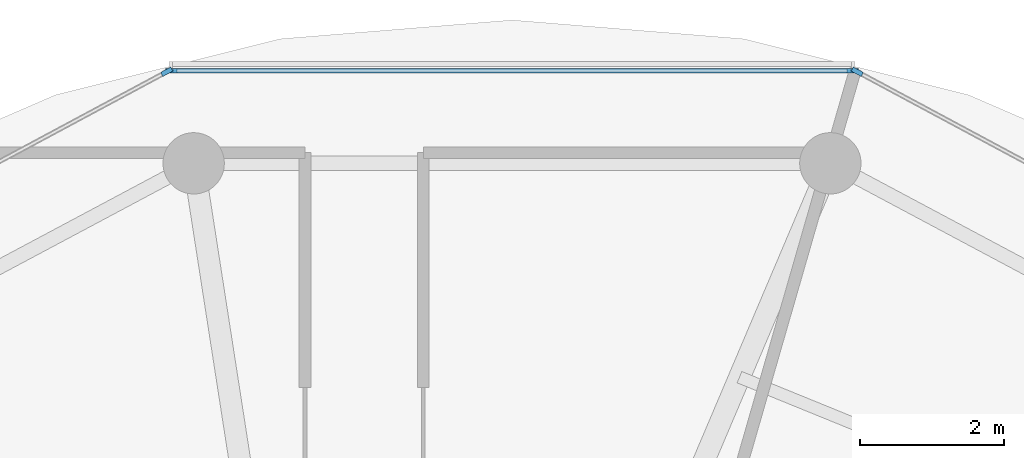
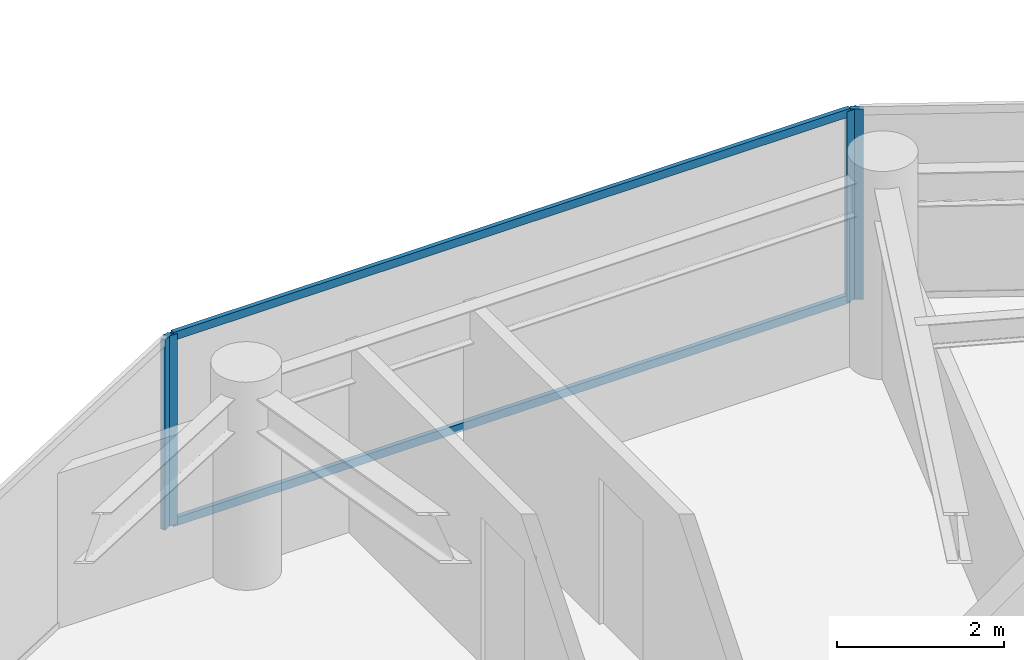
# One storey, part 9 of 23: 6 members, 3 elements without a shape of their own.
"""IFC4 building model written with IfcOpenShell, lengths in metres."""

from ifc_helpers import new_model, si_unit, direction, frame, origin, origin_2d, place, context, subcontext, project, spatial, rectangle, extrude, source, transform, mapped, material, layer, layer_set, material_profile, profile_set, type_object, type_shapes, element, aggregate, save


model = new_model("IFC4")

# Units and contexts
model_context = context("Model", 3, precision=1e-05, world=origin(), true_north=direction((0.0, 1.0)))
body_context = subcontext(model_context, "Body", "Model", "MODEL_VIEW")
ifc_project = project(units=[si_unit("LENGTHUNIT", "METRE"), si_unit("AREAUNIT", "SQUARE_METRE"), si_unit("VOLUMEUNIT", "CUBIC_METRE"), si_unit("PLANEANGLEUNIT", "RADIAN"), si_unit("MASSUNIT", "GRAM", prefix="KILO")], contexts=[model_context])

# Site, building, storey
site_placement = place(None, origin())
site = spatial("IfcSite", under=ifc_project, at=site_placement, CompositionType="ELEMENT")
building_placement = place(site_placement, origin())
building = spatial("IfcBuilding", under=site, at=building_placement, Name="Norrkilde Senior Care Towers", CompositionType="ELEMENT")
storey_placement = place(building_placement, frame((0.0, 0.0, 93.199951171875)))
storey = spatial("IfcBuildingStorey", under=building, at=storey_placement, Name="L28", CompositionType="ELEMENT", Elevation=93.199951171875)

# Curtain wall, member
ifc_material_1 = material(Name="Triple Low-E Insulated Glazing", Category="glass")
ifc_layer = layer(ifc_material_1, 0.195068359375)
ifc_layer_set = layer_set([ifc_layer], Name="Triple Low-E Insulated Glazing")
curtain_wall_type = type_object("IfcCurtainWallType", Name="CW3 Zone 2 Assisted Living Curtain Wall", PredefinedType="NOTDEFINED", material=ifc_layer_set)
curtain_wall_1_placement = place(storey_placement, origin())
curtain_wall_1 = element("IfcCurtainWall", 1, at=curtain_wall_1_placement, inside=storey, type_object=curtain_wall_type, Name="L28 Drum W Curtain Wall 01", PredefinedType="NOTDEFINED")
ifc_material_2 = material(Name="Anodised Aluminium", Category="aluminium")
ifc_material_profile_1 = material_profile(ifc_material_2, rectangle(XDim=0.06494140625, YDim=0.159912109375, at=origin_2d()), Name="ALU MULL 65x160")
ifc_profile_set_1 = profile_set([ifc_material_profile_1], Name="Anodised Aluminium")
member_type_1 = type_object("IfcMemberType", Name="Curtain Wall Mullion Z1-Z2 65x160", PredefinedType="MULLION", material=ifc_profile_set_1)
shared_shape_1 = source(origin(), body_context, "Body", "SweptSolid", [
    extrude(rectangle(XDim=0.06494140625, YDim=0.159912109375, at=origin_2d()), origin(), (0.0, 0.0, 1.0), 2.7900390625),
])
type_shapes(member_type_1, [shared_shape_1])
member_1_placement = place(storey_placement, frame((-21.164306640625, 16.482666015625, 0.0), z_axis=(0.0, 0.0, 1.0), x_axis=(0.472769402511, 0.881186184668, 0.0)))
member_1 = element("IfcMember", 2, at=member_1_placement, type_object=member_type_1, Name="CW-3 mullion 1", PredefinedType="MULLION", context=body_context, shape_type="MappedRepresentation", body=[
    mapped(shared_shape_1, transform((0.0, 0.0, 0.0), x_axis=(1.0, 0.0, 0.0), y_axis=(0.0, 1.0, 0.0), z_axis=(0.0, 0.0, 1.0), scale=1.0)),
])
aggregate(curtain_wall_1, [member_1])

# Curtain wall, members
curtain_wall_2_placement = place(storey_placement, origin())
curtain_wall_2 = element("IfcCurtainWall", 3, at=curtain_wall_2_placement, inside=storey, type_object=curtain_wall_type, Name="L28 Drum W Curtain Wall 02", PredefinedType="NOTDEFINED")
member_2_placement = place(storey_placement, frame((-30.674560546875, 16.498046875, 0.0), z_axis=(0.0, 0.0, 1.0), x_axis=(0.0, 1.0, 0.0)))
member_2 = element("IfcMember", 4, at=member_2_placement, type_object=member_type_1, Name="CW-3 mullion 1", PredefinedType="MULLION", context=body_context, shape_type="MappedRepresentation", body=[
    mapped(shared_shape_1, transform((0.0, 0.0, 0.0), x_axis=(1.0, 0.0, 0.0), y_axis=(0.0, 1.0, 0.0), z_axis=(0.0, 0.0, 1.0), scale=1.0)),
])
member_3_placement = place(storey_placement, frame((-21.225341796875, 16.498046875, 0.0), z_axis=(0.0, 0.0, 1.0), x_axis=(0.0, 1.0, 0.0)))
member_3 = element("IfcMember", 5, at=member_3_placement, type_object=member_type_1, Name="CW-3 mullion 2", PredefinedType="MULLION", context=body_context, shape_type="MappedRepresentation", body=[
    mapped(shared_shape_1, transform((0.0, 0.0, 0.0), x_axis=(1.0, 0.0, 0.0), y_axis=(0.0, 1.0, 0.0), z_axis=(0.0, 0.0, 1.0), scale=1.0)),
])

# Curtain wall, member
curtain_wall_3_placement = place(storey_placement, origin())
curtain_wall_3 = element("IfcCurtainWall", 6, at=curtain_wall_3_placement, inside=storey, type_object=curtain_wall_type, Name="L28 Drum W Curtain Wall 03", PredefinedType="NOTDEFINED")
member_4_placement = place(storey_placement, frame((-30.73583984375, 16.482666015625, 0.0), z_axis=(0.0, 0.0, 1.0), x_axis=(-0.472769402511, 0.881186184668, 0.0)))
member_4 = element("IfcMember", 7, at=member_4_placement, type_object=member_type_1, Name="CW-3 mullion 2", PredefinedType="MULLION", context=body_context, shape_type="MappedRepresentation", body=[
    mapped(shared_shape_1, transform((0.0, 0.0, 0.0), x_axis=(1.0, 0.0, 0.0), y_axis=(0.0, 1.0, 0.0), z_axis=(0.0, 0.0, 1.0), scale=1.0)),
])
aggregate(curtain_wall_3, [member_4])

# Member
ifc_material_profile_2 = material_profile(ifc_material_2, rectangle(XDim=0.06005859375, YDim=0.1201171875, at=origin_2d()), Name="ALU TRAN 60x120")
ifc_profile_set_2 = profile_set([ifc_material_profile_2], Name="Anodised Aluminium")
member_type_2 = type_object("IfcMemberType", Name="Curtain Wall Transom Typical 60x120", PredefinedType="USERDEFINED", material=ifc_profile_set_2)
shared_shape_2 = source(origin(), body_context, "Body", "SweptSolid", [
    extrude(rectangle(XDim=0.06005859375, YDim=0.1201171875, at=origin_2d()), origin(), (0.0, 0.0, 1.0), 9.38427734375),
])
type_shapes(member_type_2, [shared_shape_2])
member_5_placement = place(storey_placement, frame((-30.64208984375, 16.498046875, 0.030029296875), z_axis=(1.0, 0.0, 0.0), x_axis=(0.0, 1.0, 0.0)))
member_5 = element("IfcMember", 8, at=member_5_placement, type_object=member_type_2, Name="CW-3 transom 1.1", ObjectType="TRANSOM", PredefinedType="USERDEFINED", context=body_context, shape_type="MappedRepresentation", body=[
    mapped(shared_shape_2, transform((0.0, 0.0, 0.0), x_axis=(1.0, 0.0, 0.0), y_axis=(0.0, 1.0, 0.0), z_axis=(0.0, 0.0, 1.0), scale=1.0)),
])

member_6_placement = place(storey_placement, frame((-30.64208984375, 16.498046875, 2.760009765625), z_axis=(1.0, 0.0, 0.0), x_axis=(0.0, 1.0, 0.0)))
member_6 = element("IfcMember", 9, at=member_6_placement, type_object=member_type_2, Name="CW-3 transom 1.2", ObjectType="TRANSOM", PredefinedType="USERDEFINED", context=body_context, shape_type="MappedRepresentation", body=[
    mapped(shared_shape_2, transform((0.0, 0.0, 0.0), x_axis=(1.0, 0.0, 0.0), y_axis=(0.0, 1.0, 0.0), z_axis=(0.0, 0.0, 1.0), scale=1.0)),
])

aggregate(curtain_wall_2, [member_2, member_3, member_5, member_6])

save(model, "model.ifc")
